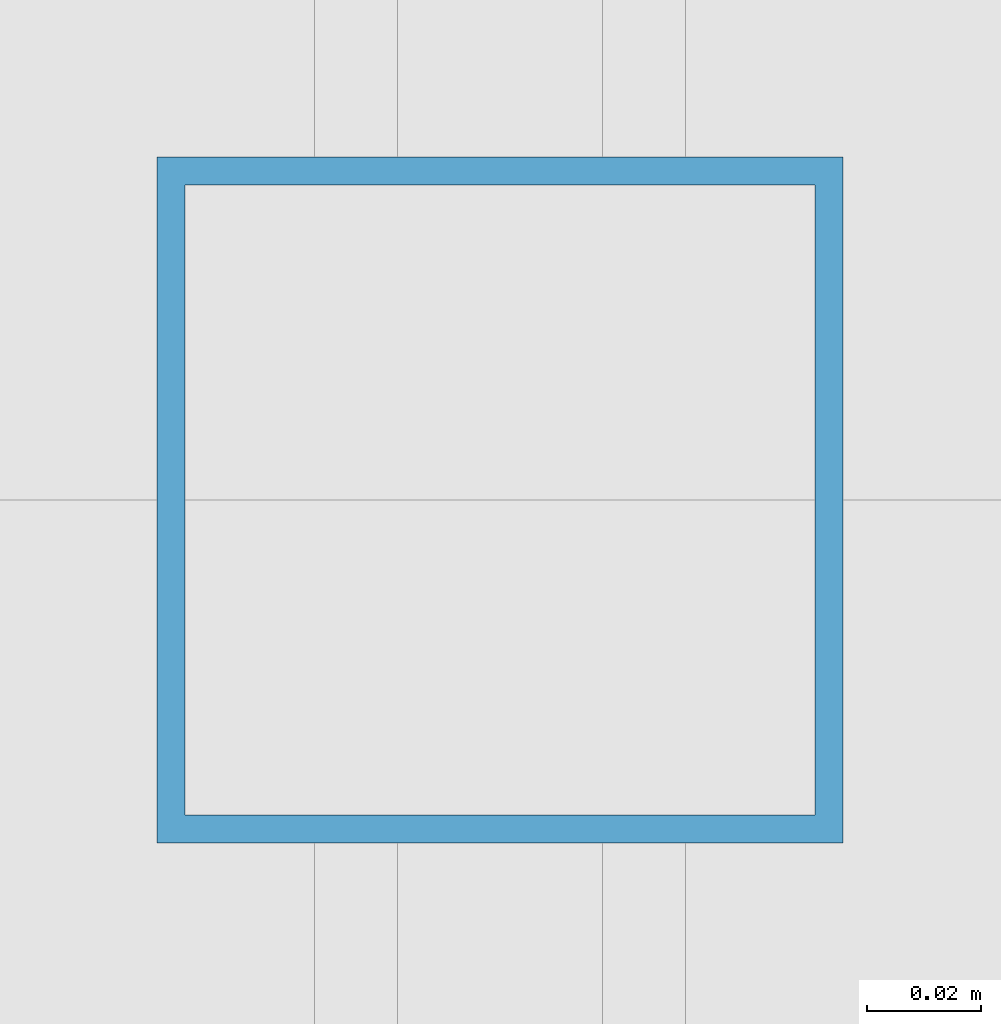
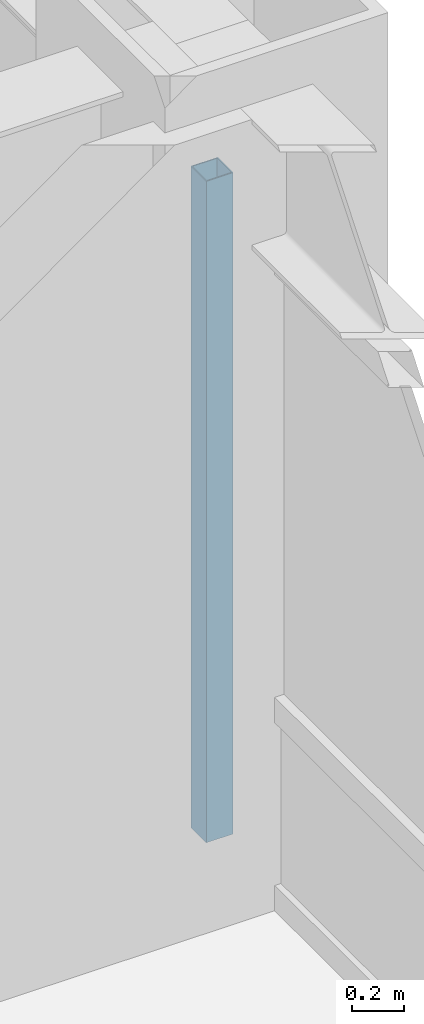
# One storey, part 10 of 25: 1 member, 1 element without a shape of its own.
"""IFC4 building model written with IfcOpenShell, lengths in metres."""

from ifc_helpers import new_model, si_unit, direction, frame, origin, origin_2d, place, context, subcontext, project, spatial, hollow_rectangle, extrude, source, transform, mapped, material, material_profile, profile_set, type_object, element, aggregate, save


model = new_model("IFC4")

# Units and contexts
model_context = context("Model", 3, precision=1e-05, world=origin(), true_north=direction((0.0, 1.0)))
body_context = subcontext(model_context, "Body", "Model", "MODEL_VIEW")
ifc_project = project(units=[si_unit("LENGTHUNIT", "METRE"), si_unit("AREAUNIT", "SQUARE_METRE"), si_unit("VOLUMEUNIT", "CUBIC_METRE"), si_unit("PLANEANGLEUNIT", "RADIAN"), si_unit("MASSUNIT", "GRAM", prefix="KILO")], contexts=[model_context])

# Site, building, storey
site_placement = place(None, origin())
site = spatial("IfcSite", under=ifc_project, at=site_placement, CompositionType="ELEMENT")
building_placement = place(site_placement, origin())
building = spatial("IfcBuilding", under=site, at=building_placement, Name="Khorayat Bourse Tower", CompositionType="ELEMENT")
storey_placement = place(building_placement, frame((0.0, 0.0, 227.10009765625)))
storey = spatial("IfcBuildingStorey", under=building, at=storey_placement, Name="L53", CompositionType="ELEMENT", Elevation=227.10009765625)

# Curtain wall, member
ifc_material = material(Name="Aluminium EN AW-6063 T6", Category="aluminium")
curtain_wall_type = type_object("IfcCurtainWallType", Name="CW-SYS-03", PredefinedType="NOTDEFINED", material=ifc_material)
curtain_wall_placement = place(storey_placement, origin())
curtain_wall = element("IfcCurtainWall", 1, at=curtain_wall_placement, inside=storey, type_object=curtain_wall_type, Name="L53 Curtain Wall CW-L53-E1", PredefinedType="NOTDEFINED")
ifc_material_profile = material_profile(ifc_material, hollow_rectangle(XDim=0.1201171875, YDim=0.1201171875, WallThickness=0.0048828125, at=origin_2d()), Name="ALU 120x120x5")
ifc_profile_set = profile_set([ifc_material_profile], Name="Aluminium EN AW-6063 T6")
member_type = type_object("IfcMemberType", Name="CWM-VERT-120", PredefinedType="MULLION", material=ifc_profile_set)
shared_shape = source(origin(), body_context, "Body", "SweptSolid", [
    extrude(hollow_rectangle(XDim=0.1201171875, YDim=0.1201171875, WallThickness=0.0048828125, at=origin_2d()), origin(), (0.0, 0.0, 1.0), 3.1298828125),
])
member_placement = place(storey_placement, frame((30.0, 0.0, 0.0), z_axis=(0.0, 0.0, 1.0), x_axis=(-1.0, 0.0, 0.0)))
member = element("IfcMember", 2, at=member_placement, type_object=member_type, Name="CW-L53-E1 Vertical Mullion 2", PredefinedType="MULLION", context=body_context, shape_type="MappedRepresentation", body=[
    mapped(shared_shape, transform((0.0, 0.0, 0.0), scale=1.0)),
])
aggregate(curtain_wall, [member])

save(model, "model.ifc")
